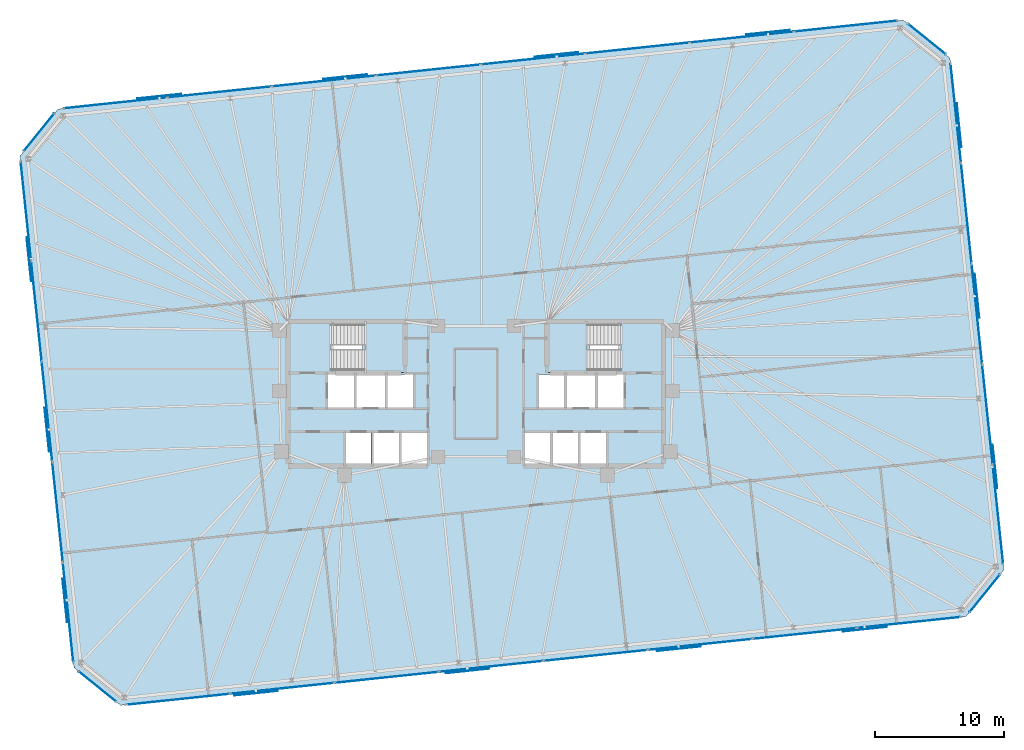
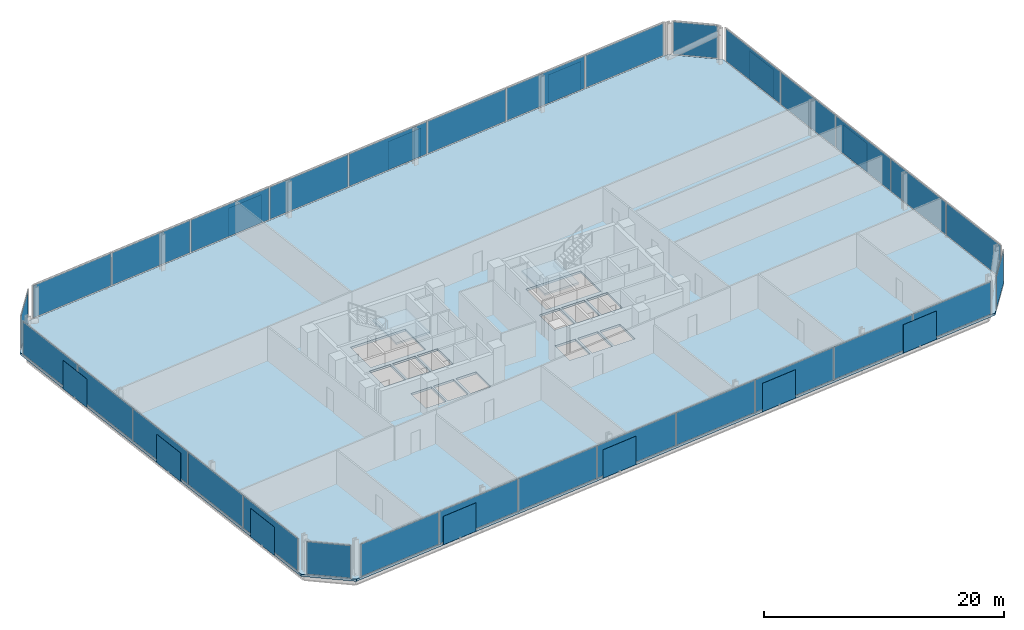
# One storey, part 13 of 18: 44 plates, 3 slabs, 10 elements without a shape of their own.
"""IFC4 building model written with IfcOpenShell, lengths in metres."""

from ifc_helpers import new_model, si_unit, direction, frame, origin, origin_2d, place, context, subcontext, project, spatial, polyline, rectangle, outline, extrude, material, layer, layer_set, type_object, element, aggregate, save


model = new_model("IFC4")

# Units and contexts
model_context = context("Model", 3, precision=1e-05, world=origin(), true_north=direction((0.0, 1.0)))
body_context = subcontext(model_context, "Body", "Model", "MODEL_VIEW")
ifc_project = project(units=[si_unit("LENGTHUNIT", "METRE"), si_unit("AREAUNIT", "SQUARE_METRE"), si_unit("VOLUMEUNIT", "CUBIC_METRE"), si_unit("PLANEANGLEUNIT", "RADIAN"), si_unit("MASSUNIT", "GRAM", prefix="KILO")], contexts=[model_context])

# Site, building, storey
site_placement = place(None, origin())
site = spatial("IfcSite", under=ifc_project, at=site_placement, CompositionType="ELEMENT")
building_placement = place(site_placement, origin())
building = spatial("IfcBuilding", under=site, at=building_placement, Name="Menara Jurai Vektor", CompositionType="ELEMENT")
storey_placement = place(building_placement, frame((0.0, 0.0, 124.39990234375)))
storey = spatial("IfcBuildingStorey", under=building, at=storey_placement, Name="L31", CompositionType="ELEMENT", Elevation=124.39990234375)

# Curtain wall, plates
ifc_material_1 = material(Name="Anodised Pale Aluminium & Low-E Double Glazing", Category="aluminium")
curtain_wall_type = type_object("IfcCurtainWallType", Name="CW-BLK2", PredefinedType="NOTDEFINED", material=ifc_material_1)
curtain_wall_1_placement = place(storey_placement, origin())
curtain_wall_1 = element("IfcCurtainWall", 1, at=curtain_wall_1_placement, inside=storey, type_object=curtain_wall_type, Name="Unitised Curtain Wall L31 F01", PredefinedType="NOTDEFINED")
ifc_material_2 = material(Name="Low-E Solar-Control Double Glazed Unit", Category="glass")
ifc_layer_1 = layer(ifc_material_2, 0.033935546875)
ifc_layer_set_1 = layer_set([ifc_layer_1], Name="Low-E Solar-Control Double Glazed Unit")
plate_type_1 = type_object("IfcPlateType", Name="CW-BLK2-PNL", PredefinedType="CURTAIN_PANEL", material=ifc_layer_set_1)
plate_1_placement = place(storey_placement, frame((-23.090087890625, -23.69921875, 0.090087890625), z_axis=(0.0, 0.0, 1.0), x_axis=(0.994521877325, 0.104528634935, 0.0)))
plate_1 = element("IfcPlate", 2, at=plate_1_placement, type_object=plate_type_1, Name="CW-02 panel 1.1", PredefinedType="CURTAIN_PANEL", context=body_context, shape_type="SweptSolid", body=[
    extrude(rectangle(XDim=8.007568359375, YDim=0.033935546875, at=origin_2d()), origin(), (0.0, 0.0, 1.0), 3.294921875),
])
plate_2_placement = place(storey_placement, frame((-15.014404296875, -22.850341796875, 0.090087890625), z_axis=(0.0, 0.0, 1.0), x_axis=(0.994521877325, 0.104528634935, 0.0)))
plate_2 = element("IfcPlate", 3, at=plate_2_placement, type_object=plate_type_1, Name="CW-02 panel 2.1", PredefinedType="CURTAIN_PANEL", context=body_context, shape_type="SweptSolid", body=[
    extrude(rectangle(XDim=8.052490234375, YDim=0.033935546875, at=origin_2d()), origin(), (0.0, 0.0, 1.0), 3.294921875),
])
plate_3_placement = place(storey_placement, frame((-6.91650390625, -21.999267578125, 0.090087890625), z_axis=(0.0, 0.0, 1.0), x_axis=(0.994521877325, 0.104528634935, 0.0)))
plate_3 = element("IfcPlate", 4, at=plate_3_placement, type_object=plate_type_1, Name="CW-02 panel 3.1", PredefinedType="CURTAIN_PANEL", context=body_context, shape_type="SweptSolid", body=[
    extrude(rectangle(XDim=8.052490234375, YDim=0.033935546875, at=origin_2d()), origin(), (0.0, 0.0, 1.0), 3.294921875),
])
plate_4_placement = place(storey_placement, frame((1.181396484375, -21.148193359375, 0.090087890625), z_axis=(0.0, 0.0, 1.0), x_axis=(0.994521877325, 0.104528634935, 0.0)))
plate_4 = element("IfcPlate", 5, at=plate_4_placement, type_object=plate_type_1, Name="CW-02 panel 4.1", PredefinedType="CURTAIN_PANEL", context=body_context, shape_type="SweptSolid", body=[
    extrude(rectangle(XDim=8.052490234375, YDim=0.033935546875, at=origin_2d()), origin(), (0.0, 0.0, 1.0), 3.294921875),
])
plate_5_placement = place(storey_placement, frame((9.279296875, -20.297119140625, 0.090087890625), z_axis=(0.0, 0.0, 1.0), x_axis=(0.994521877325, 0.104528634935, 0.0)))
plate_5 = element("IfcPlate", 6, at=plate_5_placement, type_object=plate_type_1, Name="CW-02 panel 5.1", PredefinedType="CURTAIN_PANEL", context=body_context, shape_type="SweptSolid", body=[
    extrude(rectangle(XDim=8.052490234375, YDim=0.033935546875, at=origin_2d()), origin(), (0.0, 0.0, 1.0), 3.294921875),
])
plate_6_placement = place(storey_placement, frame((17.377197265625, -19.44580078125, 0.090087890625), z_axis=(0.0, 0.0, 1.0), x_axis=(0.994521877325, 0.104528634935, 0.0)))
plate_6 = element("IfcPlate", 7, at=plate_6_placement, type_object=plate_type_1, Name="CW-02 panel 6.1", PredefinedType="CURTAIN_PANEL", context=body_context, shape_type="SweptSolid", body=[
    extrude(rectangle(XDim=8.052490234375, YDim=0.033935546875, at=origin_2d()), origin(), (0.0, 0.0, 1.0), 3.294921875),
])
plate_7_placement = place(storey_placement, frame((25.47509765625, -18.5947265625, 0.090087890625), z_axis=(0.0, 0.0, 1.0), x_axis=(0.994521877325, 0.104528634935, 0.0)))
plate_7 = element("IfcPlate", 8, at=plate_7_placement, type_object=plate_type_1, Name="CW-02 panel 7.1", PredefinedType="CURTAIN_PANEL", context=body_context, shape_type="SweptSolid", body=[
    extrude(rectangle(XDim=8.052490234375, YDim=0.033935546875, at=origin_2d()), origin(), (0.0, 0.0, 1.0), 3.294921875),
])
plate_8_placement = place(storey_placement, frame((33.550537109375, -17.74609375, 0.090087890625), z_axis=(0.0, 0.0, 1.0), x_axis=(0.994521877325, 0.104528634935, 0.0)))
plate_8 = element("IfcPlate", 9, at=plate_8_placement, type_object=plate_type_1, Name="CW-02 panel 8.1", PredefinedType="CURTAIN_PANEL", context=body_context, shape_type="SweptSolid", body=[
    extrude(rectangle(XDim=8.007568359375, YDim=0.033935546875, at=origin_2d()), origin(), (0.0, 0.0, 1.0), 3.294921875),
])
aggregate(curtain_wall_1, [plate_1, plate_2, plate_3, plate_4, plate_5, plate_6, plate_7, plate_8])

curtain_wall_2_placement = place(storey_placement, origin())
curtain_wall_2 = element("IfcCurtainWall", 10, at=curtain_wall_2_placement, inside=storey, type_object=curtain_wall_type, Name="Unitised Curtain Wall L31 F03", PredefinedType="NOTDEFINED")
plate_9_placement = place(storey_placement, frame((40.485595703125, -9.358642578125, 0.090087890625), z_axis=(0.0, 0.0, 1.0), x_axis=(-0.104529576902, 0.99452177832, 0.0)))
plate_9 = element("IfcPlate", 11, at=plate_9_placement, type_object=plate_type_1, Name="CW-02 panel 1.1", PredefinedType="CURTAIN_PANEL", context=body_context, shape_type="SweptSolid", body=[
    extrude(rectangle(XDim=7.693115234375, YDim=0.033935546875, at=origin_2d()), origin(), (0.0, 0.0, 1.0), 3.294921875),
])
plate_10_placement = place(storey_placement, frame((39.669677734375, -1.595947265625, 0.090087890625), z_axis=(0.0, 0.0, 1.0), x_axis=(-0.104529576902, 0.99452177832, 0.0)))
plate_10 = element("IfcPlate", 12, at=plate_10_placement, type_object=plate_type_1, Name="CW-02 panel 2.1", PredefinedType="CURTAIN_PANEL", context=body_context, shape_type="SweptSolid", body=[
    extrude(rectangle(XDim=7.738037109375, YDim=0.033935546875, at=origin_2d()), origin(), (0.0, 0.0, 1.0), 3.294921875),
])
plate_11_placement = place(storey_placement, frame((38.8515625, 6.189208984375, 0.090087890625), z_axis=(0.0, 0.0, 1.0), x_axis=(-0.104529576902, 0.99452177832, 0.0)))
plate_11 = element("IfcPlate", 13, at=plate_11_placement, type_object=plate_type_1, Name="CW-02 panel 3.1", PredefinedType="CURTAIN_PANEL", context=body_context, shape_type="SweptSolid", body=[
    extrude(rectangle(XDim=7.738037109375, YDim=0.033935546875, at=origin_2d()), origin(), (0.0, 0.0, 1.0), 3.294921875),
])
plate_12_placement = place(storey_placement, frame((38.033203125, 13.974365234375, 0.090087890625), z_axis=(0.0, 0.0, 1.0), x_axis=(-0.104529576902, 0.99452177832, 0.0)))
plate_12 = element("IfcPlate", 14, at=plate_12_placement, type_object=plate_type_1, Name="CW-02 panel 4.1", PredefinedType="CURTAIN_PANEL", context=body_context, shape_type="SweptSolid", body=[
    extrude(rectangle(XDim=7.738037109375, YDim=0.033935546875, at=origin_2d()), origin(), (0.0, 0.0, 1.0), 3.294921875),
])
plate_13_placement = place(storey_placement, frame((37.21728515625, 21.737060546875, 0.090087890625), z_axis=(0.0, 0.0, 1.0), x_axis=(-0.104529576902, 0.99452177832, 0.0)))
plate_13 = element("IfcPlate", 15, at=plate_13_placement, type_object=plate_type_1, Name="CW-02 panel 5.1", PredefinedType="CURTAIN_PANEL", context=body_context, shape_type="SweptSolid", body=[
    extrude(rectangle(XDim=7.693115234375, YDim=0.033935546875, at=origin_2d()), origin(), (0.0, 0.0, 1.0), 3.294921875),
])
aggregate(curtain_wall_2, [plate_9, plate_10, plate_11, plate_12, plate_13])

curtain_wall_3_placement = place(storey_placement, origin())
curtain_wall_3 = element("IfcCurtainWall", 16, at=curtain_wall_3_placement, inside=storey, type_object=curtain_wall_type, Name="Unitised Curtain Wall L31 F05", PredefinedType="NOTDEFINED")
plate_14_placement = place(storey_placement, frame((28.68994140625, 28.499267578125, 0.090087890625), z_axis=(0.0, 0.0, 1.0), x_axis=(-0.994521877325, -0.104528634935, 0.0)))
plate_14 = element("IfcPlate", 17, at=plate_14_placement, type_object=plate_type_1, Name="CW-02 panel 1.1", PredefinedType="CURTAIN_PANEL", context=body_context, shape_type="SweptSolid", body=[
    extrude(rectangle(XDim=8.007568359375, YDim=0.033935546875, at=origin_2d()), origin(), (0.0, 0.0, 1.0), 3.294921875),
])
plate_15_placement = place(storey_placement, frame((20.614501953125, 27.650390625, 0.090087890625), z_axis=(0.0, 0.0, 1.0), x_axis=(-0.994521877325, -0.104528634935, 0.0)))
plate_15 = element("IfcPlate", 18, at=plate_15_placement, type_object=plate_type_1, Name="CW-02 panel 2.1", PredefinedType="CURTAIN_PANEL", context=body_context, shape_type="SweptSolid", body=[
    extrude(rectangle(XDim=8.052490234375, YDim=0.033935546875, at=origin_2d()), origin(), (0.0, 0.0, 1.0), 3.294921875),
])
plate_16_placement = place(storey_placement, frame((12.5166015625, 26.79931640625, 0.090087890625), z_axis=(0.0, 0.0, 1.0), x_axis=(-0.994521877325, -0.104528634935, 0.0)))
plate_16 = element("IfcPlate", 19, at=plate_16_placement, type_object=plate_type_1, Name="CW-02 panel 3.1", PredefinedType="CURTAIN_PANEL", context=body_context, shape_type="SweptSolid", body=[
    extrude(rectangle(XDim=8.052490234375, YDim=0.033935546875, at=origin_2d()), origin(), (0.0, 0.0, 1.0), 3.294921875),
])
plate_17_placement = place(storey_placement, frame((4.418701171875, 25.9482421875, 0.090087890625), z_axis=(0.0, 0.0, 1.0), x_axis=(-0.994521877325, -0.104528634935, 0.0)))
plate_17 = element("IfcPlate", 20, at=plate_17_placement, type_object=plate_type_1, Name="CW-02 panel 4.1", PredefinedType="CURTAIN_PANEL", context=body_context, shape_type="SweptSolid", body=[
    extrude(rectangle(XDim=8.052490234375, YDim=0.033935546875, at=origin_2d()), origin(), (0.0, 0.0, 1.0), 3.294921875),
])
plate_18_placement = place(storey_placement, frame((-3.67919921875, 25.096923828125, 0.090087890625), z_axis=(0.0, 0.0, 1.0), x_axis=(-0.994521877325, -0.104528634935, 0.0)))
plate_18 = element("IfcPlate", 21, at=plate_18_placement, type_object=plate_type_1, Name="CW-02 panel 5.1", PredefinedType="CURTAIN_PANEL", context=body_context, shape_type="SweptSolid", body=[
    extrude(rectangle(XDim=8.052490234375, YDim=0.033935546875, at=origin_2d()), origin(), (0.0, 0.0, 1.0), 3.294921875),
])
plate_19_placement = place(storey_placement, frame((-11.777099609375, 24.245849609375, 0.090087890625), z_axis=(0.0, 0.0, 1.0), x_axis=(-0.994521877325, -0.104528634935, 0.0)))
plate_19 = element("IfcPlate", 22, at=plate_19_placement, type_object=plate_type_1, Name="CW-02 panel 6.1", PredefinedType="CURTAIN_PANEL", context=body_context, shape_type="SweptSolid", body=[
    extrude(rectangle(XDim=8.052490234375, YDim=0.033935546875, at=origin_2d()), origin(), (0.0, 0.0, 1.0), 3.294921875),
])
plate_20_placement = place(storey_placement, frame((-19.875, 23.394775390625, 0.090087890625), z_axis=(0.0, 0.0, 1.0), x_axis=(-0.994521877325, -0.104528634935, 0.0)))
plate_20 = element("IfcPlate", 23, at=plate_20_placement, type_object=plate_type_1, Name="CW-02 panel 7.1", PredefinedType="CURTAIN_PANEL", context=body_context, shape_type="SweptSolid", body=[
    extrude(rectangle(XDim=8.052490234375, YDim=0.033935546875, at=origin_2d()), origin(), (0.0, 0.0, 1.0), 3.294921875),
])
plate_21_placement = place(storey_placement, frame((-27.95068359375, 22.5458984375, 0.090087890625), z_axis=(0.0, 0.0, 1.0), x_axis=(-0.994521877325, -0.104528634935, 0.0)))
plate_21 = element("IfcPlate", 24, at=plate_21_placement, type_object=plate_type_1, Name="CW-02 panel 8.1", PredefinedType="CURTAIN_PANEL", context=body_context, shape_type="SweptSolid", body=[
    extrude(rectangle(XDim=8.007568359375, YDim=0.033935546875, at=origin_2d()), origin(), (0.0, 0.0, 1.0), 3.294921875),
])
aggregate(curtain_wall_3, [plate_14, plate_15, plate_16, plate_17, plate_18, plate_19, plate_20, plate_21])

curtain_wall_4_placement = place(storey_placement, origin())
curtain_wall_4 = element("IfcCurtainWall", 25, at=curtain_wall_4_placement, inside=storey, type_object=curtain_wall_type, Name="Unitised Curtain Wall L31 F07", PredefinedType="NOTDEFINED")
plate_22_placement = place(storey_placement, frame((-34.885498046875, 14.15869140625, 0.090087890625), z_axis=(0.0, 0.0, 1.0), x_axis=(0.104529576902, -0.99452177832, 0.0)))
plate_22 = element("IfcPlate", 26, at=plate_22_placement, type_object=plate_type_1, Name="CW-02 panel 1.1", PredefinedType="CURTAIN_PANEL", context=body_context, shape_type="SweptSolid", body=[
    extrude(rectangle(XDim=7.693115234375, YDim=0.033935546875, at=origin_2d()), origin(), (0.0, 0.0, 1.0), 3.294921875),
])
plate_23_placement = place(storey_placement, frame((-34.06982421875, 6.39599609375, 0.090087890625), z_axis=(0.0, 0.0, 1.0), x_axis=(0.104529576902, -0.99452177832, 0.0)))
plate_23 = element("IfcPlate", 27, at=plate_23_placement, type_object=plate_type_1, Name="CW-02 panel 2.1", PredefinedType="CURTAIN_PANEL", context=body_context, shape_type="SweptSolid", body=[
    extrude(rectangle(XDim=7.738037109375, YDim=0.033935546875, at=origin_2d()), origin(), (0.0, 0.0, 1.0), 3.294921875),
])
plate_24_placement = place(storey_placement, frame((-33.25146484375, -1.38916015625, 0.090087890625), z_axis=(0.0, 0.0, 1.0), x_axis=(0.104529576902, -0.99452177832, 0.0)))
plate_24 = element("IfcPlate", 28, at=plate_24_placement, type_object=plate_type_1, Name="CW-02 panel 3.1", PredefinedType="CURTAIN_PANEL", context=body_context, shape_type="SweptSolid", body=[
    extrude(rectangle(XDim=7.738037109375, YDim=0.033935546875, at=origin_2d()), origin(), (0.0, 0.0, 1.0), 3.294921875),
])
plate_25_placement = place(storey_placement, frame((-32.43310546875, -9.17431640625, 0.090087890625), z_axis=(0.0, 0.0, 1.0), x_axis=(0.104529576902, -0.99452177832, 0.0)))
plate_25 = element("IfcPlate", 29, at=plate_25_placement, type_object=plate_type_1, Name="CW-02 panel 4.1", PredefinedType="CURTAIN_PANEL", context=body_context, shape_type="SweptSolid", body=[
    extrude(rectangle(XDim=7.738037109375, YDim=0.033935546875, at=origin_2d()), origin(), (0.0, 0.0, 1.0), 3.294921875),
])
plate_26_placement = place(storey_placement, frame((-31.6171875, -16.93701171875, 0.090087890625), z_axis=(0.0, 0.0, 1.0), x_axis=(0.104529576902, -0.99452177832, 0.0)))
plate_26 = element("IfcPlate", 30, at=plate_26_placement, type_object=plate_type_1, Name="CW-02 panel 5.1", PredefinedType="CURTAIN_PANEL", context=body_context, shape_type="SweptSolid", body=[
    extrude(rectangle(XDim=7.693115234375, YDim=0.033935546875, at=origin_2d()), origin(), (0.0, 0.0, 1.0), 3.294921875),
])
aggregate(curtain_wall_4, [plate_22, plate_23, plate_24, plate_25, plate_26])

# Curtain wall, plate
curtain_wall_5_placement = place(storey_placement, origin())
curtain_wall_5 = element("IfcCurtainWall", 31, at=curtain_wall_5_placement, inside=storey, type_object=curtain_wall_type, Name="Unitised Curtain Wall L31 F02", PredefinedType="NOTDEFINED")
ifc_material_3 = material(Name="Insulated Pale Aluminium Spandrel Panel", Category="aluminium")
ifc_layer_2 = layer(ifc_material_3, 0.06005859375)
ifc_layer_set_2 = layer_set([ifc_layer_2], Name="Insulated Pale Aluminium Spandrel Panel")
plate_type_2 = type_object("IfcPlateType", Name="CW-PNL-SP", PredefinedType="CURTAIN_PANEL", material=ifc_layer_set_2)
plate_27_placement = place(storey_placement, frame((39.46826171875, -15.465087890625, 0.090087890625), z_axis=(0.0, 0.0, 1.0), x_axis=(0.62934106172, 0.777129222223, 0.0)))
plate_27 = element("IfcPlate", 32, at=plate_27_placement, type_object=plate_type_2, Name="CW-02 panel 1.1", PredefinedType="CURTAIN_PANEL", context=body_context, shape_type="SweptSolid", body=[
    extrude(rectangle(XDim=3.72705078125, YDim=0.06005859375, at=origin_2d()), origin(), (0.0, 0.0, 1.0), 3.294921875),
])
aggregate(curtain_wall_5, [plate_27])

curtain_wall_6_placement = place(storey_placement, origin())
curtain_wall_6 = element("IfcCurtainWall", 33, at=curtain_wall_6_placement, inside=storey, type_object=curtain_wall_type, Name="Unitised Curtain Wall L31 F04", PredefinedType="NOTDEFINED")
plate_28_placement = place(storey_placement, frame((34.95263671875, 27.498291015625, 0.090087890625), z_axis=(0.0, 0.0, 1.0), x_axis=(-0.777151877437, 0.629313085353, 0.0)))
plate_28 = element("IfcPlate", 34, at=plate_28_placement, type_object=plate_type_2, Name="CW-02 panel 1.1", PredefinedType="CURTAIN_PANEL", context=body_context, shape_type="SweptSolid", body=[
    extrude(rectangle(XDim=3.72705078125, YDim=0.06005859375, at=origin_2d()), origin(), (0.0, 0.0, 1.0), 3.294921875),
])
aggregate(curtain_wall_6, [plate_28])

curtain_wall_7_placement = place(storey_placement, origin())
curtain_wall_7 = element("IfcCurtainWall", 35, at=curtain_wall_7_placement, inside=storey, type_object=curtain_wall_type, Name="Unitised Curtain Wall L31 F06", PredefinedType="NOTDEFINED")
plate_29_placement = place(storey_placement, frame((-33.868408203125, 20.264892578125, 0.090087890625), z_axis=(0.0, 0.0, 1.0), x_axis=(-0.62934106172, -0.777129222223, 0.0)))
plate_29 = element("IfcPlate", 36, at=plate_29_placement, type_object=plate_type_2, Name="CW-02 panel 1.1", PredefinedType="CURTAIN_PANEL", context=body_context, shape_type="SweptSolid", body=[
    extrude(rectangle(XDim=3.72705078125, YDim=0.06005859375, at=origin_2d()), origin(), (0.0, 0.0, 1.0), 3.294921875),
])
aggregate(curtain_wall_7, [plate_29])

curtain_wall_8_placement = place(storey_placement, origin())
curtain_wall_8 = element("IfcCurtainWall", 37, at=curtain_wall_8_placement, inside=storey, type_object=curtain_wall_type, Name="Unitised Curtain Wall L31 F08", PredefinedType="NOTDEFINED")
plate_30_placement = place(storey_placement, frame((-29.3525390625, -22.6982421875, 0.090087890625), z_axis=(0.0, 0.0, 1.0), x_axis=(0.777151877437, -0.629313085353, 0.0)))
plate_30 = element("IfcPlate", 38, at=plate_30_placement, type_object=plate_type_2, Name="CW-02 panel 1.1", PredefinedType="CURTAIN_PANEL", context=body_context, shape_type="SweptSolid", body=[
    extrude(rectangle(XDim=3.72705078125, YDim=0.06005859375, at=origin_2d()), origin(), (0.0, 0.0, 1.0), 3.294921875),
])
aggregate(curtain_wall_8, [plate_30])

# Plates
ifc_material_4 = material(Name="Anodised Pale Aluminium Perforated Screen", Category="aluminium")
ifc_layer_3 = layer(ifc_material_4, 0.02392578125)
ifc_layer_set_3 = layer_set([ifc_layer_3], Name="Anodised Pale Aluminium Perforated Screen")
plate_type_3 = type_object("IfcPlateType", Name="ENV-PLT-SCREEN", PredefinedType="USERDEFINED", material=ifc_layer_set_3)
for number, where, z_axis, x_axis, name in (
    (39, (-17.0361328125, -23.223876953125, -0.0498046875), (0.0, 0.0, 1.0), (0.994521895368, 0.104528463268, 0.0), "Perforated Pale-Metal Solar Screen L31-S01"),
    (40, (-0.651611328125, -21.501708984375, -0.0498046875), (0.0, 0.0, 1.0), (0.994521895368, 0.104528463268, 0.0), "Perforated Pale-Metal Solar Screen L31-S02"),
    (41, (15.7333984375, -19.779541015625, -0.0498046875), (0.0, 0.0, 1.0), (0.994521895368, 0.104528463268, 0.0), "Perforated Pale-Metal Solar Screen L31-S03"),
    (42, (30.15185546875, -18.26416015625, -0.0498046875), (0.0, 0.0, 1.0), (0.994521895368, 0.104528463268, 0.0), "Perforated Pale-Metal Solar Screen L31-S04"),
    (43, (40.2548828125, -5.63232421875, -0.0498046875), (0.0, 0.0, 1.0), (-0.104528463268, 0.994521895368, 0.0), "Perforated Pale-Metal Solar Screen L31-S05"),
    (44, (38.864501953125, 7.5947265625, -0.0498046875), (0.0, 0.0, 1.0), (-0.104528463268, 0.994521895368, 0.0), "Perforated Pale-Metal Solar Screen L31-S06"),
    (45, (37.474365234375, 20.822021484375, -0.0498046875), (0.0, 0.0, 1.0), (-0.104528463268, 0.994521895368, 0.0), "Perforated Pale-Metal Solar Screen L31-S07"),
    (46, (22.63623046875, 28.023681640625, -0.0498046875), (0.0, 0.0, 1.0), (-0.994521895368, -0.104528463268, 0.0), "Perforated Pale-Metal Solar Screen L31-S08"),
    (47, (6.25146484375, 26.3017578125, -0.0498046875), (0.0, 0.0, 1.0), (-0.994521895368, -0.104528463268, 0.0), "Perforated Pale-Metal Solar Screen L31-S09"),
    (48, (-10.13330078125, 24.57958984375, -0.0498046875), (0.0, 0.0, 1.0), (-0.994521895368, -0.104528463268, 0.0), "Perforated Pale-Metal Solar Screen L31-S10"),
    (49, (-24.5517578125, 23.064208984375, -0.0498046875), (0.0, 0.0, 1.0), (-0.994521895368, -0.104528463268, 0.0), "Perforated Pale-Metal Solar Screen L31-S11"),
    (50, (-34.65478515625, 10.432373046875, -0.0498046875), (0.0, 0.0, 1.0), (0.104528463268, -0.994521895368, 0.0), "Perforated Pale-Metal Solar Screen L31-S12"),
    (51, (-33.2646484375, -2.794677734375, -0.0498046875), (0.0, 0.0, 1.0), (0.104528463268, -0.994521895368, 0.0), "Perforated Pale-Metal Solar Screen L31-S13"),
    (52, (-31.87451171875, -16.02197265625, -0.0498046875), (0.0, 0.0, 1.0), (0.104528463268, -0.994521895368, 0.0), "Perforated Pale-Metal Solar Screen L31-S14"),
):
    element("IfcPlate", number, at=place(storey_placement, frame(where, z_axis=z_axis, x_axis=x_axis)), inside=storey, type_object=plate_type_3, Name=name, ObjectType="SCREEN", PredefinedType="USERDEFINED", context=body_context, shape_type="SweptSolid", body=[
        extrude(rectangle(XDim=3.39990234375, YDim=0.02392578125, at=origin_2d()), origin(), (0.0, 0.0, 1.0), 2.89990234375),
    ])

# Stair, slab
ifc_material_5 = material(Name="Concrete C40/50", Category="concrete")
stair_type = type_object("IfcStairType", Name="STAIR-DOGLEG-1500", PredefinedType="HALF_TURN_STAIR", material=ifc_material_5)
stair_1_placement = place(storey_placement, origin())
stair_1 = element("IfcStair", 53, at=stair_1_placement, inside=storey, type_object=stair_type, Name="Protected Exit Stair ST1 L31", PredefinedType="HALF_TURN_STAIR")
ifc_layer_4 = layer(ifc_material_5, 0.199951171875)
ifc_layer_set_4 = layer_set([ifc_layer_4], Name="Concrete C40/50")
slab_type_1 = type_object("IfcSlabType", Name="STAIR-LANDING-200", PredefinedType="LANDING", material=ifc_layer_set_4)
slab_1_placement = place(storey_placement, frame((0.0, 0.0, 1.650146484375)))
slab_1 = element("IfcSlab", 54, at=slab_1_placement, type_object=slab_type_1, Name="ST1 landing 1", PredefinedType="LANDING", context=body_context, shape_type="SweptSolid", body=[
    extrude(outline(polyline([(-8.800048828125, 1.64990234375), (-5.550048828125, 1.64990234375), (-5.550048828125, 5.550048828125), (-8.800048828125, 5.550048828125), (-8.800048828125, 1.64990234375)])), origin(), (0.0, 0.0, 1.0), 0.199951171875),
])
aggregate(stair_1, [slab_1])

stair_2_placement = place(storey_placement, origin())
stair_2 = element("IfcStair", 55, at=stair_2_placement, inside=storey, type_object=stair_type, Name="Protected Exit Stair ST2 L31", PredefinedType="HALF_TURN_STAIR")
slab_2_placement = place(storey_placement, frame((0.0, 0.0, 1.650146484375)))
slab_2 = element("IfcSlab", 56, at=slab_2_placement, type_object=slab_type_1, Name="ST2 landing 1", PredefinedType="LANDING", context=body_context, shape_type="SweptSolid", body=[
    extrude(outline(polyline([(5.550048828125, 1.64990234375), (8.800048828125, 1.64990234375), (8.800048828125, 5.550048828125), (5.550048828125, 5.550048828125), (5.550048828125, 1.64990234375)])), origin(), (0.0, 0.0, 1.0), 0.199951171875),
])
aggregate(stair_2, [slab_2])

# Slab
ifc_layer_5 = layer(ifc_material_5, 0.22509765625)
ifc_layer_set_5 = layer_set([ifc_layer_5], Name="Concrete C40/50")
slab_type_2 = type_object("IfcSlabType", Name="STR-SLAB-TYP200", PredefinedType="FLOOR", material=ifc_layer_set_5)
slab_3_placement = place(storey_placement, frame((0.0, 0.0, -0.224853515625)))
element("IfcSlab", 57, at=slab_3_placement, inside=storey, type_object=slab_type_2, Name="Composite Floor Slab L31", PredefinedType="FLOOR", context=body_context, shape_type="SweptSolid", body=[
    extrude(outline(polyline([(-27.539306640625, -24.166748046875), (37.999755859375, -17.2783203125), (40.936767578125, -13.651611328125), (36.76611328125, 26.02978515625), (33.13916015625, 28.966796875), (-32.39990234375, 22.078369140625), (-35.3369140625, 18.45166015625), (-31.166015625, -21.22998046875), (-27.539306640625, -24.166748046875)]), holes=[polyline([(-11.10009765625, 1.89990234375), (-11.10009765625, 5.300048828125), (-5.800048828125, 5.300048828125), (-5.800048828125, 1.89990234375), (-11.10009765625, 1.89990234375)]), polyline([(5.800048828125, 1.89990234375), (5.800048828125, 5.300048828125), (11.10009765625, 5.300048828125), (11.10009765625, 1.89990234375), (5.800048828125, 1.89990234375)]), polyline([(-11.449951171875, -1.050048828125), (-11.449951171875, 1.5), (-9.449951171875, 1.5), (-9.449951171875, -1.050048828125), (-11.449951171875, -1.050048828125)]), polyline([(9.449951171875, -1.050048828125), (9.449951171875, 1.5), (11.449951171875, 1.5), (11.449951171875, -1.050048828125), (9.449951171875, -1.050048828125)]), polyline([(-5.760009765625, -5.5), (-5.760009765625, -3.050048828125), (-3.800048828125, -3.050048828125), (-3.800048828125, -5.5), (-5.760009765625, -5.5)]), polyline([(-6.85009765625, -1.050048828125), (-6.85009765625, 1.5), (-4.889892578125, 1.5), (-4.889892578125, -1.050048828125), (-6.85009765625, -1.050048828125)]), polyline([(3.800048828125, -5.5), (3.800048828125, -3.050048828125), (5.760009765625, -3.050048828125), (5.760009765625, -5.5), (3.800048828125, -5.5)]), polyline([(4.889892578125, -1.050048828125), (4.889892578125, 1.5), (6.85009765625, 1.5), (6.85009765625, -1.050048828125), (4.889892578125, -1.050048828125)]), polyline([(-10.080078125, -5.5), (-10.080078125, -3.050048828125), (-8.1201171875, -3.050048828125), (-8.1201171875, -5.5), (-10.080078125, -5.5)]), polyline([(-7.919921875, -5.5), (-7.919921875, -3.050048828125), (-5.9599609375, -3.050048828125), (-5.9599609375, -5.5), (-7.919921875, -5.5)]), polyline([(5.9599609375, -5.5), (5.9599609375, -3.050048828125), (7.919921875, -3.050048828125), (7.919921875, -5.5), (5.9599609375, -5.5)]), polyline([(8.1201171875, -5.5), (8.1201171875, -3.050048828125), (10.080078125, -3.050048828125), (10.080078125, -5.5), (8.1201171875, -5.5)]), polyline([(-9.25, -1.050048828125), (-9.25, 1.5), (-7.050048828125, 1.5), (-7.050048828125, -1.050048828125), (-9.25, -1.050048828125)]), polyline([(7.050048828125, -1.050048828125), (7.050048828125, 1.5), (9.25, 1.5), (9.25, -1.050048828125), (7.050048828125, -1.050048828125)])]), origin(), (0.0, 0.0, 1.0), 0.224853515625),
])

save(model, "model.ifc")
